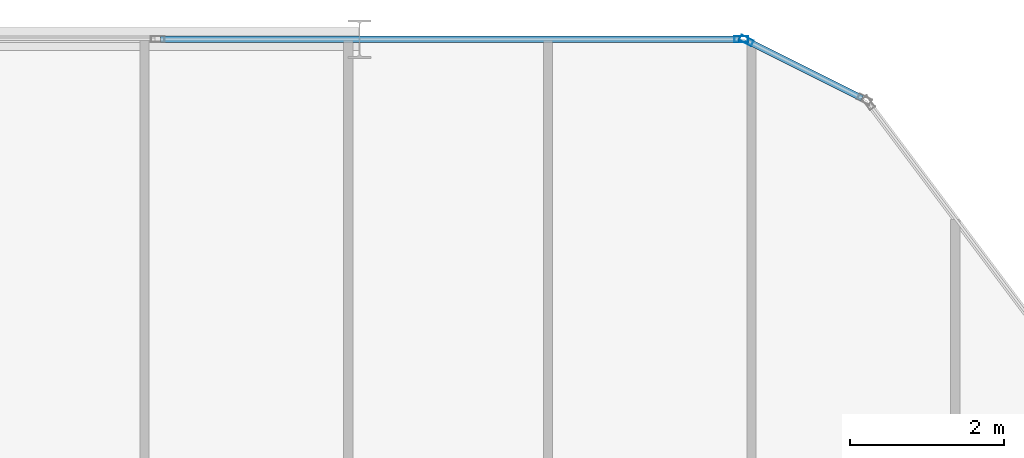
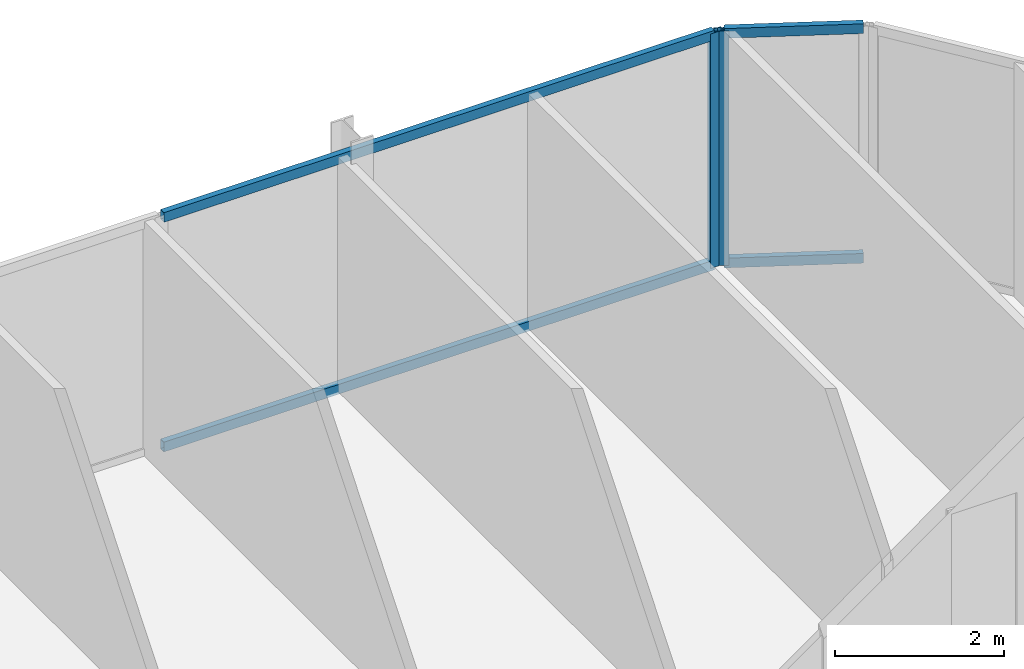
# One storey, part 21 of 32: 6 members, 2 elements without a shape of their own.
"""IFC4 building model written with IfcOpenShell, lengths in metres."""

from ifc_helpers import new_model, si_unit, direction, frame, origin, origin_2d, place, context, subcontext, project, spatial, hollow_rectangle, extrude, material, layer, layer_set, material_profile, profile_set, type_object, element, aggregate, save


model = new_model("IFC4")

# Units and contexts
model_context = context("Model", 3, precision=1e-05, world=origin(), true_north=direction((0.0, 1.0)))
body_context = subcontext(model_context, "Body", "Model", "MODEL_VIEW")
ifc_project = project(units=[si_unit("LENGTHUNIT", "METRE"), si_unit("AREAUNIT", "SQUARE_METRE"), si_unit("VOLUMEUNIT", "CUBIC_METRE"), si_unit("PLANEANGLEUNIT", "RADIAN"), si_unit("MASSUNIT", "GRAM", prefix="KILO")], contexts=[model_context])

# Site, building, storey
site_placement = place(None, origin())
site = spatial("IfcSite", under=ifc_project, at=site_placement, CompositionType="ELEMENT")
building_placement = place(site_placement, origin())
building = spatial("IfcBuilding", under=site, at=building_placement, Name="Keshet Zoharim Tower", CompositionType="ELEMENT")
storey_placement = place(building_placement, frame((0.0, 0.0, 137.199951171875)))
storey = spatial("IfcBuildingStorey", under=building, at=storey_placement, Name="L33", CompositionType="ELEMENT", Elevation=137.199951171875)

# Curtain wall, member
ifc_material = material(Name="Aluminium 6063-T6", Category="aluminium")
ifc_layer = layer(ifc_material, 0.159912109375)
ifc_layer_set = layer_set([ifc_layer], Name="Aluminium 6063-T6")
curtain_wall_type = type_object("IfcCurtainWallType", Name="CW-SYS-03", PredefinedType="NOTDEFINED", material=ifc_layer_set)
curtain_wall_1_placement = place(storey_placement, origin())
curtain_wall_1 = element("IfcCurtainWall", 1, at=curtain_wall_1_placement, inside=storey, type_object=curtain_wall_type, Name="L33 Unitised Curtain Wall 13 Part 5", PredefinedType="NOTDEFINED")
ifc_material_profile_1 = material_profile(ifc_material, hollow_rectangle(XDim=0.080078125, YDim=0.179931640625, WallThickness=0.00439453125, at=origin_2d()), Name="MUL-80x180")
ifc_profile_set_1 = profile_set([ifc_material_profile_1], Name="Aluminium 6063-T6")
member_type_1 = type_object("IfcMemberType", Name="CWM-M18", PredefinedType="MULLION", material=ifc_profile_set_1)
member_1_placement = place(storey_placement, frame((49.965087890625, 53.89990234375, 0.0), z_axis=(0.0, 0.0, 1.0), x_axis=(0.0, 1.0, 0.0)))
member_1 = element("IfcMember", 2, at=member_1_placement, type_object=member_type_1, Name="CW-03 mullion 3", PredefinedType="MULLION", context=body_context, shape_type="SweptSolid", body=[
    extrude(hollow_rectangle(XDim=0.080078125, YDim=0.179931640625, WallThickness=0.00439453125, at=origin_2d()), origin(), (0.0, 0.0, 1.0), 3.385009765625),
])

curtain_wall_2_placement = place(storey_placement, origin())
curtain_wall_2 = element("IfcCurtainWall", 3, at=curtain_wall_2_placement, inside=storey, type_object=curtain_wall_type, Name="L33 Unitised Curtain Wall 14", PredefinedType="NOTDEFINED")
member_2_placement = place(storey_placement, frame((50.03125, 53.88427734375, 0.0), z_axis=(0.0, 0.0, 1.0), x_axis=(0.447213595499, 0.894427191001, 0.0)))
member_2 = element("IfcMember", 4, at=member_2_placement, type_object=member_type_1, Name="CW-03 mullion 1", PredefinedType="MULLION", context=body_context, shape_type="SweptSolid", body=[
    extrude(hollow_rectangle(XDim=0.080078125, YDim=0.179931640625, WallThickness=0.00439453125, at=origin_2d()), origin(), (0.0, 0.0, 1.0), 3.385009765625),
])

# Member
ifc_material_profile_2 = material_profile(ifc_material, hollow_rectangle(XDim=0.080078125, YDim=0.139892578125, WallThickness=0.00390625, at=origin_2d()), Name="TRN-80x140")
ifc_profile_set_2 = profile_set([ifc_material_profile_2], Name="Aluminium 6063-T6")
member_type_2 = type_object("IfcMemberType", Name="CWT-T14", PredefinedType="USERDEFINED", material=ifc_profile_set_2)
member_3_placement = place(storey_placement, frame((42.408935546875, 53.89990234375, 0.03515625), z_axis=(1.0, 0.0, 0.0), x_axis=(0.0, 1.0, 0.0)))
member_3 = element("IfcMember", 5, at=member_3_placement, type_object=member_type_2, Name="CW-03 transom 2.1", ObjectType="TRANSOM", PredefinedType="USERDEFINED", context=body_context, shape_type="SweptSolid", body=[
    extrude(hollow_rectangle(XDim=0.080078125, YDim=0.139892578125, WallThickness=0.00390625, at=origin_2d()), origin(), (0.0, 0.0, 1.0), 7.52099609375),
])

member_4_placement = place(storey_placement, frame((42.408935546875, 53.89990234375, 3.35009765625), z_axis=(1.0, 0.0, 0.0), x_axis=(0.0, 1.0, 0.0)))
member_4 = element("IfcMember", 6, at=member_4_placement, type_object=member_type_2, Name="CW-03 transom 2.2", ObjectType="TRANSOM", PredefinedType="USERDEFINED", context=body_context, shape_type="SweptSolid", body=[
    extrude(hollow_rectangle(XDim=0.080078125, YDim=0.139892578125, WallThickness=0.00390625, at=origin_2d()), origin(), (0.0, 0.0, 1.0), 7.52099609375),
])

aggregate(curtain_wall_1, [member_1, member_3, member_4])

member_5_placement = place(storey_placement, frame((50.0625, 53.86865234375, 0.03515625), z_axis=(0.894456801911, -0.447154368775, 0.0), x_axis=(0.447154368775, 0.894456801911, 0.0)))
member_5 = element("IfcMember", 7, at=member_5_placement, type_object=member_type_2, Name="CW-03 transom 1.1", ObjectType="TRANSOM", PredefinedType="USERDEFINED", context=body_context, shape_type="SweptSolid", body=[
    extrude(hollow_rectangle(XDim=0.080078125, YDim=0.139892578125, WallThickness=0.00390625, at=origin_2d()), origin(), (0.0, 0.0, 1.0), 1.64892578125),
])

member_6_placement = place(storey_placement, frame((50.0625, 53.86865234375, 3.35009765625), z_axis=(0.894456801911, -0.447154368775, 0.0), x_axis=(0.447154368775, 0.894456801911, 0.0)))
member_6 = element("IfcMember", 8, at=member_6_placement, type_object=member_type_2, Name="CW-03 transom 1.2", ObjectType="TRANSOM", PredefinedType="USERDEFINED", context=body_context, shape_type="SweptSolid", body=[
    extrude(hollow_rectangle(XDim=0.080078125, YDim=0.139892578125, WallThickness=0.00390625, at=origin_2d()), origin(), (0.0, 0.0, 1.0), 1.64892578125),
])

aggregate(curtain_wall_2, [member_2, member_5, member_6])

save(model, "model.ifc")
